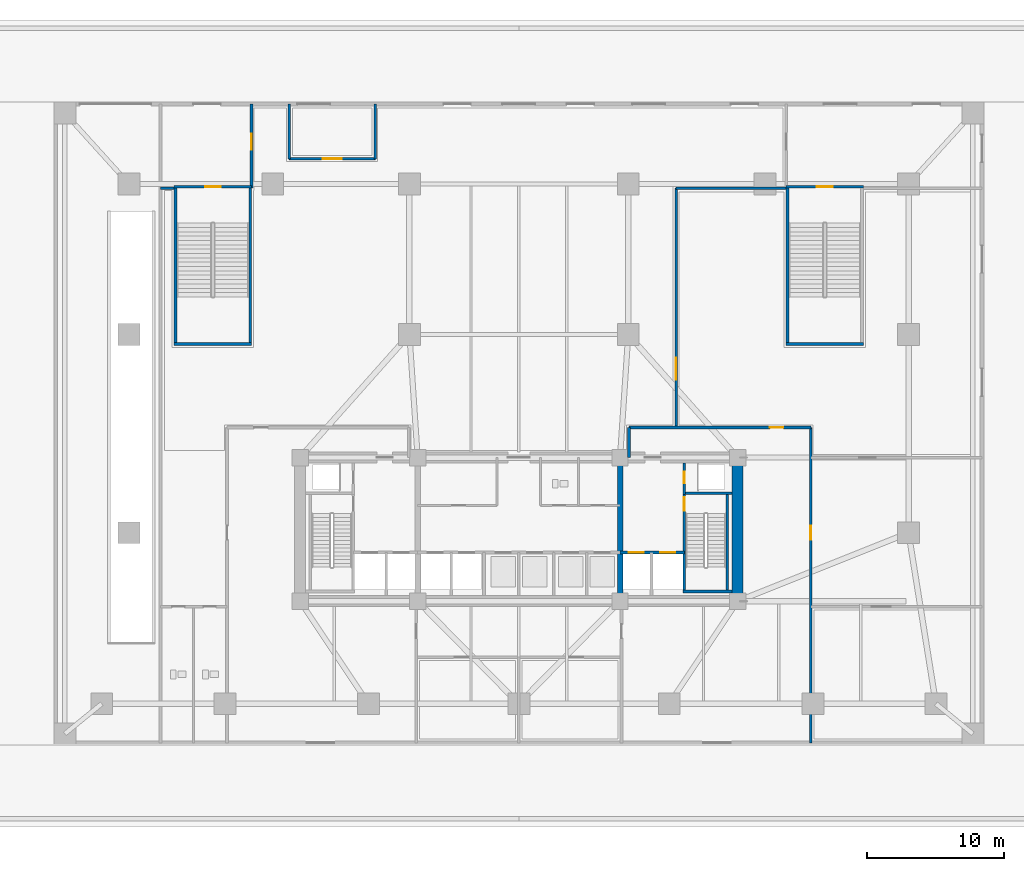
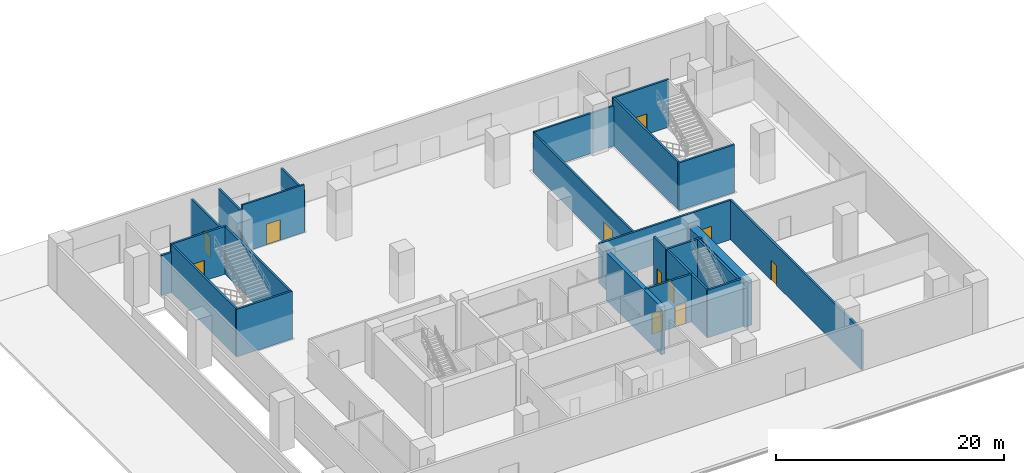
# One storey, part 6 of 15: 25 walls, 11 doors, 11 openings.
"""IFC4 building model written with IfcOpenShell, lengths in metres."""

from ifc_helpers import new_model, si_unit, direction, frame, frame_2d, origin, place, context, subcontext, project, spatial, rectangle, extrude, material, layer, layer_set, type_object, element, fill, save


model = new_model("IFC4")

# Units and contexts
model_context = context("Model", 3, precision=1e-05, world=origin(), true_north=direction((0.0, 1.0)))
body_context = subcontext(model_context, "Body", "Model", "MODEL_VIEW")
ifc_project = project(units=[si_unit("LENGTHUNIT", "METRE"), si_unit("AREAUNIT", "SQUARE_METRE"), si_unit("VOLUMEUNIT", "CUBIC_METRE"), si_unit("PLANEANGLEUNIT", "RADIAN"), si_unit("MASSUNIT", "GRAM", prefix="KILO")], contexts=[model_context])

# Site, building, storey
site_placement = place(None, origin())
site = spatial("IfcSite", under=ifc_project, at=site_placement, CompositionType="ELEMENT")
building_placement = place(site_placement, origin())
building = spatial("IfcBuilding", under=site, at=building_placement, Name="Solmavex Isthmus Hotel", CompositionType="ELEMENT")
storey_placement = place(building_placement, origin())
storey = spatial("IfcBuildingStorey", under=building, at=storey_placement, Name="L01", CompositionType="ELEMENT", Elevation=0.0)

# Wall, opening, door
ifc_material_1 = material(Name="Concrete C40/50", Category="concrete")
ifc_layer_1 = layer(ifc_material_1, 0.179931640625)
ifc_layer_set_1 = layer_set([ifc_layer_1], Name="Concrete C40/50")
wall_type_1 = type_object("IfcWallType", Name="IW-SHAFT-180", PredefinedType="PARTITIONING", material=ifc_layer_set_1)
wall_1_placement = place(storey_placement, frame((11.5, -0.300048828125, 0.0), z_axis=(0.0, 0.0, 1.0), x_axis=(0.0, 1.0, 0.0)))
wall_1 = element("IfcWall", 1, at=wall_1_placement, inside=storey, type_object=wall_type_1, Name="Interior Partition Wall W-L01-DIN", PredefinedType="PARTITIONING", context=body_context, shape_type="SweptSolid", body=[
    extrude(rectangle(XDim=17.5, YDim=0.179931640625, at=frame_2d((8.75, 0.0))), origin(), (0.0, 0.0, 1.0), 4.2294921875),
])
opening_1_placement = place(wall_1_placement, frame((3.5, 0.0, 0.0)))
opening_1 = element("IfcOpeningElement", 2, at=opening_1_placement, cuts=wall_1, Name="Opening ID-C160", PredefinedType="OPENING", context=body_context, shape_type="SweptSolid", body=[
    extrude(rectangle(XDim=1.60009765625, YDim=2.199951171875, at=frame_2d((0.800048828125, 1.10009765625))), frame((0.0, 0.099853515625, 0.0), z_axis=(0.0, -1.0, 0.0), x_axis=(1.0, 0.0, 0.0)), (0.0, 0.0, 1.0), 0.199951171875),
])
ifc_material_2 = material(Name="Hardwood timber", Category="wood")
door_type_1 = type_object("IfcDoorType", Name="IDR-FD60-1600", OperationType="NOTDEFINED", PredefinedType="DOOR", material=ifc_material_2)
door_1_placement = place(opening_1_placement, origin())
door_1 = element("IfcDoor", 3, at=door_1_placement, inside=storey, type_object=door_type_1, Name="Restaurant Entry Door", OperationType="DOUBLE_DOOR_SINGLE_SWING", OverallHeight=2.199951171875, OverallWidth=1.60009765625, PredefinedType="DOOR", context=body_context, shape_type="SweptSolid", body=[
    extrude(rectangle(XDim=1.60009765625, YDim=2.199951171875, at=frame_2d((0.800048828125, 1.10009765625))), frame((0.0, 0.02490234375, 0.0), z_axis=(0.0, -1.0, 0.0), x_axis=(1.0, 0.0, 0.0)), (0.0, 0.0, 1.0), 0.050048828125),
])
fill(opening_1, door_1)

# Walls
wall_2_placement = place(storey_placement, frame((11.5, 17.199951171875, 0.0), z_axis=(0.0, 0.0, 1.0), x_axis=(1.0, 0.0, 0.0)))
element("IfcWall", 4, at=wall_2_placement, inside=storey, type_object=wall_type_1, Name="Interior Partition Wall W-L01-DINN1", PredefinedType="PARTITIONING", context=body_context, shape_type="SweptSolid", body=[
    extrude(rectangle(XDim=8.050048828125, YDim=0.179931640625, at=frame_2d((4.02490234375, 0.0))), origin(), (0.0, 0.0, 1.0), 4.311767578125),
])
wall_3_placement = place(storey_placement, frame((-16.800048828125, 19.35009765625, 0.0), z_axis=(0.0, 0.0, 1.0), x_axis=(0.0, 1.0, 0.0)))
element("IfcWall", 5, at=wall_3_placement, inside=storey, type_object=wall_type_1, Name="Interior Partition Wall W-L01-BTQW", PredefinedType="PARTITIONING", context=body_context, shape_type="SweptSolid", body=[
    extrude(rectangle(XDim=4.010009765625, YDim=0.179931640625, at=frame_2d((2.0048828125, 0.0))), origin(), (0.0, 0.0, 1.0), 4.463134765625),
])

# Wall, opening, door
wall_4_placement = place(storey_placement, frame((-16.800048828125, 19.35009765625, 0.0), z_axis=(0.0, 0.0, 1.0), x_axis=(1.0, 0.0, 0.0)))
wall_4 = element("IfcWall", 6, at=wall_4_placement, inside=storey, type_object=wall_type_1, Name="Interior Partition Wall W-L01-BTQS", PredefinedType="PARTITIONING", context=body_context, shape_type="SweptSolid", body=[
    extrude(rectangle(XDim=6.300048828125, YDim=0.179931640625, at=frame_2d((3.14990234375, 0.0))), origin(), (0.0, 0.0, 1.0), 5.10009765625),
])
opening_2_placement = place(wall_4_placement, frame((2.449951171875, 0.0, 0.0)))
opening_2 = element("IfcOpeningElement", 7, at=opening_2_placement, cuts=wall_4, Name="Opening ID-C140", PredefinedType="OPENING", context=body_context, shape_type="SweptSolid", body=[
    extrude(rectangle(XDim=1.39990234375, YDim=2.199951171875, at=frame_2d((0.699951171875, 1.10009765625))), frame((0.0, 0.099853515625, 0.0), z_axis=(0.0, -1.0, 0.0), x_axis=(1.0, 0.0, 0.0)), (0.0, 0.0, 1.0), 0.199951171875),
])
ifc_material_3 = material(Name="Steel ASTM A500 Grade C", Category="steel")
door_type_2 = type_object("IfcDoorType", Name="IDR-FD60-1400", OperationType="NOTDEFINED", PredefinedType="DOOR", material=ifc_material_3)
door_2_placement = place(opening_2_placement, frame((1.39990234375, 0.0, 0.0), z_axis=(0.0, 0.0, 1.0), x_axis=(-1.0, 0.0, 0.0)))
door_2 = element("IfcDoor", 8, at=door_2_placement, inside=storey, type_object=door_type_2, Name="Retail Boutique Entry Door L01", OperationType="DOUBLE_DOOR_SINGLE_SWING", OverallHeight=2.199951171875, OverallWidth=1.39990234375, PredefinedType="DOOR", context=body_context, shape_type="SweptSolid", body=[
    extrude(rectangle(XDim=1.39990234375, YDim=2.199951171875, at=frame_2d((0.699951171875, 1.10009765625))), frame((0.0, 0.02490234375, 0.0), z_axis=(0.0, -1.0, 0.0), x_axis=(1.0, 0.0, 0.0)), (0.0, 0.0, 1.0), 0.050048828125),
])
fill(opening_2, door_2)

# Wall
wall_5_placement = place(storey_placement, frame((-10.5, 19.35009765625, 0.0), z_axis=(0.0, 0.0, 1.0), x_axis=(0.0, 1.0, 0.0)))
element("IfcWall", 9, at=wall_5_placement, inside=storey, type_object=wall_type_1, Name="Interior Partition Wall W-L01-BTQE", PredefinedType="PARTITIONING", context=body_context, shape_type="SweptSolid", body=[
    extrude(rectangle(XDim=4.010009765625, YDim=0.179931640625, at=frame_2d((2.0048828125, 0.0))), origin(), (0.0, 0.0, 1.0), 4.463134765625),
])

# Wall, opening, door
ifc_layer_2 = layer(ifc_material_1, 0.199951171875)
ifc_layer_set_2 = layer_set([ifc_layer_2], Name="Concrete C40/50")
wall_type_2 = type_object("IfcWallType", Name="IW-SHAFT-200", PredefinedType="PARTITIONING", material=ifc_layer_set_2)
wall_6_placement = place(storey_placement, frame((12.10009765625, -5.199951171875, 0.0), z_axis=(0.0, 0.0, 1.0), x_axis=(0.0, 1.0, 0.0)))
wall_6 = element("IfcWall", 10, at=wall_6_placement, inside=storey, type_object=wall_type_2, Name="Interior Partition Wall W-L01-RSE-W", PredefinedType="PARTITIONING", context=body_context, shape_type="SweptSolid", body=[
    extrude(rectangle(XDim=2.300048828125, YDim=0.199951171875, at=frame_2d((1.14990234375, 0.0))), origin(), (0.0, 0.0, 1.0), 5.10009765625),
])
opening_3_placement = place(wall_6_placement, frame((0.824951171875, 0.0, 0.0)))
opening_3 = element("IfcOpeningElement", 11, at=opening_3_placement, cuts=wall_6, Name="Opening ID-R085", PredefinedType="OPENING", context=body_context, shape_type="SweptSolid", body=[
    extrude(rectangle(XDim=0.85009765625, YDim=2.050048828125, at=frame_2d((0.425048828125, 1.02490234375))), frame((0.0, 0.10986328125, 0.0), z_axis=(0.0, -1.0, 0.0), x_axis=(1.0, 0.0, 0.0)), (0.0, 0.0, 1.0), 0.219970703125),
])
door_type_3 = type_object("IfcDoorType", Name="IDR-FD60-0850", OperationType="NOTDEFINED", PredefinedType="DOOR", material=ifc_material_3)
door_3_placement = place(opening_3_placement, frame((0.85009765625, 0.0, 0.0), z_axis=(0.0, 0.0, 1.0), x_axis=(-1.0, 0.0, 0.0)))
door_3 = element("IfcDoor", 12, at=door_3_placement, inside=storey, type_object=door_type_3, Name="Mechanical Riser Door L01", OperationType="SINGLE_SWING_LEFT", OverallHeight=2.050048828125, OverallWidth=0.85009765625, PredefinedType="DOOR", context=body_context, shape_type="SweptSolid", body=[
    extrude(rectangle(XDim=0.85009765625, YDim=2.050048828125, at=frame_2d((0.425048828125, 1.02490234375))), frame((0.0, 0.02490234375, 0.0), z_axis=(0.0, -1.0, 0.0), x_axis=(1.0, 0.0, 0.0)), (0.0, 0.0, 1.0), 0.050048828125),
])
fill(opening_3, door_3)

# Wall, openings, doors
wall_7_placement = place(storey_placement, frame((7.39990234375, -9.449951171875, 0.0), z_axis=(0.0, 0.0, 1.0), x_axis=(1.0, 0.0, 0.0)))
wall_7 = element("IfcWall", 13, at=wall_7_placement, inside=storey, type_object=wall_type_2, Name="Interior Partition Wall W-L01-FFLE-S", PredefinedType="PARTITIONING", context=body_context, shape_type="SweptSolid", body=[
    extrude(rectangle(XDim=4.7001953125, YDim=0.199951171875, at=frame_2d((2.35009765625, 0.0))), origin(), (0.0, 0.0, 1.0), 5.10009765625),
])
opening_4_placement = place(wall_7_placement, frame((2.949951171875, 0.0, 0.0)))
opening_4 = element("IfcOpeningElement", 14, at=opening_4_placement, cuts=wall_7, Name="Opening LD-FF", PredefinedType="OPENING", context=body_context, shape_type="SweptSolid", body=[
    extrude(rectangle(XDim=1.10009765625, YDim=2.199951171875, at=frame_2d((0.550048828125, 1.10009765625))), frame((0.0, 0.10986328125, 0.0), z_axis=(0.0, -1.0, 0.0), x_axis=(1.0, 0.0, 0.0)), (0.0, 0.0, 1.0), 0.219970703125),
])
opening_5_placement = place(wall_7_placement, frame((0.64990234375, 0.0, 0.0)))
opening_5 = element("IfcOpeningElement", 15, at=opening_5_placement, cuts=wall_7, Name="Opening LD-SV", PredefinedType="OPENING", context=body_context, shape_type="SweptSolid", body=[
    extrude(rectangle(XDim=1.10009765625, YDim=2.199951171875, at=frame_2d((0.550048828125, 1.10009765625))), frame((0.0, 0.10986328125, 0.0), z_axis=(0.0, -1.0, 0.0), x_axis=(1.0, 0.0, 0.0)), (0.0, 0.0, 1.0), 0.219970703125),
])
ifc_material_4 = material(Name="Stainless steel 316", Category="steel")
door_type_4 = type_object("IfcDoorType", Name="LDR-FF-1100", OperationType="NOTDEFINED", PredefinedType="DOOR", material=ifc_material_4)
door_4_placement = place(opening_4_placement, origin())
door_4 = element("IfcDoor", 16, at=door_4_placement, inside=storey, type_object=door_type_4, Name="Lift Landing Door FFL-2 L01", OperationType="SLIDING_TO_LEFT", OverallHeight=2.199951171875, OverallWidth=1.10009765625, PredefinedType="DOOR", context=body_context, shape_type="SweptSolid", body=[
    extrude(rectangle(XDim=1.10009765625, YDim=2.199951171875, at=frame_2d((0.550048828125, 1.10009765625))), frame((0.0, 0.02490234375, 0.0), z_axis=(0.0, -1.0, 0.0), x_axis=(1.0, 0.0, 0.0)), (0.0, 0.0, 1.0), 0.050048828125),
])
fill(opening_4, door_4)
door_type_5 = type_object("IfcDoorType", Name="LDR-SV-1100", OperationType="NOTDEFINED", PredefinedType="DOOR", material=ifc_material_4)
door_5_placement = place(opening_5_placement, origin())
door_5 = element("IfcDoor", 17, at=door_5_placement, inside=storey, type_object=door_type_5, Name="Lift Landing Door SVL-2 L01", OperationType="SLIDING_TO_RIGHT", OverallHeight=2.199951171875, OverallWidth=1.10009765625, PredefinedType="DOOR", context=body_context, shape_type="SweptSolid", body=[
    extrude(rectangle(XDim=1.10009765625, YDim=2.199951171875, at=frame_2d((0.550048828125, 1.10009765625))), frame((0.0, 0.02490234375, 0.0), z_axis=(0.0, -1.0, 0.0), x_axis=(1.0, 0.0, 0.0)), (0.0, 0.0, 1.0), 0.050048828125),
])
fill(opening_5, door_5)

# Wall, opening, door
wall_8_placement = place(storey_placement, frame((21.35009765625, -23.360107421875, 0.0), z_axis=(0.0, 0.0, 1.0), x_axis=(0.0, 1.0, 0.0)))
wall_8 = element("IfcWall", 18, at=wall_8_placement, inside=storey, type_object=wall_type_2, Name="Interior Partition Wall W-L01-EXPE-E", PredefinedType="PARTITIONING", context=body_context, shape_type="SweptSolid", body=[
    extrude(rectangle(XDim=23.06005859375, YDim=0.199951171875, at=frame_2d((11.530029296875, 0.0))), origin(), (0.0, 0.0, 1.0), 4.2294921875),
])
opening_6_placement = place(wall_8_placement, frame((14.860107421875, 0.0, 0.0)))
opening_6 = element("IfcOpeningElement", 19, at=opening_6_placement, cuts=wall_8, Name="Opening ID-F100", PredefinedType="OPENING", context=body_context, shape_type="SweptSolid", body=[
    extrude(rectangle(XDim=1.0, YDim=2.10009765625, at=frame_2d((0.5, 1.050048828125))), frame((0.0, 0.10986328125, 0.0), z_axis=(0.0, -1.0, 0.0), x_axis=(1.0, 0.0, 0.0)), (0.0, 0.0, 1.0), 0.219970703125),
])
door_type_6 = type_object("IfcDoorType", Name="IDR-FD90-1000", OperationType="NOTDEFINED", PredefinedType="DOOR", material=ifc_material_3)
door_6_placement = place(opening_6_placement, frame((1.0, 0.0, 0.0), z_axis=(0.0, 0.0, 1.0), x_axis=(-1.0, 0.0, 0.0)))
door_6 = element("IfcDoor", 20, at=door_6_placement, inside=storey, type_object=door_type_6, Name="Banquet Service Corridor Exit Door", OperationType="SINGLE_SWING_LEFT", OverallHeight=2.10009765625, OverallWidth=1.0, PredefinedType="DOOR", context=body_context, shape_type="SweptSolid", body=[
    extrude(rectangle(XDim=1.0, YDim=2.10009765625, at=frame_2d((0.5, 1.050048828125))), frame((0.0, 0.02490234375, 0.0), z_axis=(0.0, -1.0, 0.0), x_axis=(1.0, 0.0, 0.0)), (0.0, 0.0, 1.0), 0.050048828125),
])
fill(opening_6, door_6)

wall_9_placement = place(storey_placement, frame((8.050048828125, -0.300048828125, 0.0), z_axis=(0.0, 0.0, 1.0), x_axis=(1.0, 0.0, 0.0)))
wall_9 = element("IfcWall", 21, at=wall_9_placement, inside=storey, type_object=wall_type_2, Name="Interior Partition Wall W-L01-EXPE-N", PredefinedType="PARTITIONING", context=body_context, shape_type="SweptSolid", body=[
    extrude(rectangle(XDim=13.300048828125, YDim=0.199951171875, at=frame_2d((6.64990234375, 0.0))), origin(), (0.0, 0.0, 1.0), 4.2294921875),
])
opening_7_placement = place(wall_9_placement, frame((10.300048828125, 0.0, 0.0)))
opening_7 = element("IfcOpeningElement", 22, at=opening_7_placement, cuts=wall_9, Name="Opening ID-F100", PredefinedType="OPENING", context=body_context, shape_type="SweptSolid", body=[
    extrude(rectangle(XDim=1.0, YDim=2.10009765625, at=frame_2d((0.5, 1.050048828125))), frame((0.0, 0.10986328125, 0.0), z_axis=(0.0, -1.0, 0.0), x_axis=(1.0, 0.0, 0.0)), (0.0, 0.0, 1.0), 0.219970703125),
])
door_7_placement = place(opening_7_placement, frame((1.0, 0.0, 0.0), z_axis=(0.0, 0.0, 1.0), x_axis=(-1.0, 0.0, 0.0)))
door_7 = element("IfcDoor", 23, at=door_7_placement, inside=storey, type_object=door_type_6, Name="East Exit Passageway Atrium Door L01", OperationType="SINGLE_SWING_RIGHT", OverallHeight=2.10009765625, OverallWidth=1.0, PredefinedType="DOOR", context=body_context, shape_type="SweptSolid", body=[
    extrude(rectangle(XDim=1.0, YDim=2.10009765625, at=frame_2d((0.5, 1.050048828125))), frame((0.0, 0.02490234375, 0.0), z_axis=(0.0, -1.0, 0.0), x_axis=(1.0, 0.0, 0.0)), (0.0, 0.0, 1.0), 0.050048828125),
])
fill(opening_7, door_7)

# Wall
wall_10_placement = place(storey_placement, frame((8.050048828125, -2.5, 0.0), z_axis=(0.0, 0.0, 1.0), x_axis=(0.0, 1.0, 0.0)))
element("IfcWall", 24, at=wall_10_placement, inside=storey, type_object=wall_type_2, Name="Interior Partition Wall W-L01-EXPE-NW", PredefinedType="PARTITIONING", context=body_context, shape_type="SweptSolid", body=[
    extrude(rectangle(XDim=2.199951171875, YDim=0.199951171875, at=frame_2d((1.10009765625, 0.0))), origin(), (0.0, 0.0, 1.0), 4.311767578125),
])

# Wall, opening, door
wall_11_placement = place(storey_placement, frame((-19.550048828125, 17.199951171875, 0.0), z_axis=(0.0, 0.0, 1.0), x_axis=(0.0, 1.0, 0.0)))
wall_11 = element("IfcWall", 25, at=wall_11_placement, inside=storey, type_object=wall_type_2, Name="Interior Partition Wall W-L01-EXP4-E", PredefinedType="PARTITIONING", context=body_context, shape_type="SweptSolid", body=[
    extrude(rectangle(XDim=6.16015625, YDim=0.199951171875, at=frame_2d((3.080078125, 0.0))), origin(), (0.0, 0.0, 1.0), 4.311767578125),
])
opening_8_placement = place(wall_11_placement, frame((2.824951171875, 0.0, 0.0)))
opening_8 = element("IfcOpeningElement", 26, at=opening_8_placement, cuts=wall_11, Name="Opening ID-F115", PredefinedType="OPENING", context=body_context, shape_type="SweptSolid", body=[
    extrude(rectangle(XDim=1.14990234375, YDim=2.199951171875, at=frame_2d((0.574951171875, 1.10009765625))), frame((0.0, 0.10986328125, 0.0), z_axis=(0.0, -1.0, 0.0), x_axis=(1.0, 0.0, 0.0)), (0.0, 0.0, 1.0), 0.219970703125),
])
door_type_7 = type_object("IfcDoorType", Name="IDR-FD90-1150", OperationType="NOTDEFINED", PredefinedType="DOOR", material=ifc_material_3)
door_8_placement = place(opening_8_placement, frame((1.14990234375, 0.0, 0.0), z_axis=(0.0, 0.0, 1.0), x_axis=(-1.0, 0.0, 0.0)))
door_8 = element("IfcDoor", 27, at=door_8_placement, inside=storey, type_object=door_type_7, Name="Protected Exit Passageway ST-4 Atrium Door", OperationType="SINGLE_SWING_LEFT", OverallHeight=2.199951171875, OverallWidth=1.14990234375, PredefinedType="DOOR", context=body_context, shape_type="SweptSolid", body=[
    extrude(rectangle(XDim=1.14990234375, YDim=2.199951171875, at=frame_2d((0.574951171875, 1.10009765625))), frame((0.0, 0.02490234375, 0.0), z_axis=(0.0, -1.0, 0.0), x_axis=(1.0, 0.0, 0.0)), (0.0, 0.0, 1.0), 0.050048828125),
])
fill(opening_8, door_8)

# Walls
wall_12_placement = place(storey_placement, frame((-26.199951171875, 17.199951171875, 0.0), z_axis=(0.0, 0.0, 1.0), x_axis=(1.0, 0.0, 0.0)))
element("IfcWall", 28, at=wall_12_placement, inside=storey, type_object=wall_type_2, Name="Interior Partition Wall W-L01-EXP4-S", PredefinedType="PARTITIONING", context=body_context, shape_type="SweptSolid", body=[
    extrude(rectangle(XDim=1.0, YDim=0.199951171875, at=frame_2d((0.5, 0.0))), origin(), (0.0, 0.0, 1.0), 4.311767578125),
])
ifc_material_5 = material(Name="Concrete C70/85", Category="concrete")
ifc_layer_3 = layer(ifc_material_5, 0.39990234375)
ifc_layer_set_3 = layer_set([ifc_layer_3], Name="Concrete C70/85")
wall_type_3 = type_object("IfcWallType", Name="WALL-CW-400L", PredefinedType="SHEAR", material=ifc_layer_set_3)
wall_13_placement = place(storey_placement, frame((7.39990234375, -12.60009765625, 0.0), z_axis=(0.0, 0.0, 1.0), x_axis=(0.0, 1.0, 0.0)))
element("IfcWall", 29, at=wall_13_placement, inside=storey, type_object=wall_type_3, Name="Core Cross Shear Wall C2 L01", PredefinedType="SHEAR", context=body_context, shape_type="SweptSolid", body=[
    extrude(rectangle(XDim=9.7001953125, YDim=0.39990234375, at=frame_2d((4.85009765625, 0.0))), origin(), (0.0, 0.0, 1.0), 5.10009765625),
])
ifc_layer_4 = layer(ifc_material_5, 0.800048828125)
ifc_layer_set_4 = layer_set([ifc_layer_4], Name="Concrete C70/85")
wall_type_4 = type_object("IfcWallType", Name="WALL-CW-800", PredefinedType="SHEAR", material=ifc_layer_set_4)
wall_14_placement = place(storey_placement, frame((16.0, -12.60009765625, 0.0), z_axis=(0.0, 0.0, 1.0), x_axis=(0.0, 1.0, 0.0)))
element("IfcWall", 30, at=wall_14_placement, inside=storey, type_object=wall_type_4, Name="Core Shear Wall East L01", PredefinedType="SHEAR", context=body_context, shape_type="SweptSolid", body=[
    extrude(rectangle(XDim=9.7001953125, YDim=0.800048828125, at=frame_2d((4.85009765625, 0.0))), origin(), (0.0, 0.0, 1.0), 4.820068359375),
])
ifc_layer_5 = layer(ifc_material_1, 0.199951171875)
ifc_layer_set_5 = layer_set([ifc_layer_5], Name="Concrete C40/50")
wall_type_5 = type_object("IfcWallType", Name="WALL-SW-200", PredefinedType="SOLIDWALL", material=ifc_layer_set_5)
for number, where, z_axis, x_axis, name in (
    (31, (12.0, -12.300048828125, 0.0), (0.0, 0.0, 1.0), (1.0, 0.0, 0.0), "Stairwell Structural Wall SW-L01-ST2-S"),
    (32, (12.0, -5.10009765625, 0.0), (0.0, 0.0, 1.0), (1.0, 0.0, 0.0), "Stairwell Structural Wall SW-L01-ST2-N"),
):
    element("IfcWall", number, at=place(storey_placement, frame(where, z_axis=z_axis, x_axis=x_axis)), inside=storey, type_object=wall_type_5, Name=name, PredefinedType="SOLIDWALL", context=body_context, shape_type="SweptSolid", body=[
        extrude(rectangle(XDim=3.60009765625, YDim=0.199951171875, at=frame_2d((1.800048828125, 0.0))), origin(), (0.0, 0.0, 1.0), 5.10009765625),
    ])

# Wall, opening, door
wall_15_placement = place(storey_placement, frame((12.10009765625, -12.199951171875, 0.0), z_axis=(0.0, 0.0, 1.0), x_axis=(0.0, 1.0, 0.0)))
wall_15 = element("IfcWall", 33, at=wall_15_placement, inside=storey, type_object=wall_type_5, Name="Stairwell Structural Wall SW-L01-ST2-W", PredefinedType="SOLIDWALL", context=body_context, shape_type="SweptSolid", body=[
    extrude(rectangle(XDim=7.0, YDim=0.199951171875, at=frame_2d((3.5, 0.0))), origin(), (0.0, 0.0, 1.0), 5.10009765625),
])
opening_9_placement = place(wall_15_placement, frame((5.800048828125, 0.0, 0.0)))
opening_9 = element("IfcOpeningElement", 34, at=opening_9_placement, cuts=wall_15, Name="Opening ID-F100", PredefinedType="OPENING", context=body_context, shape_type="SweptSolid", body=[
    extrude(rectangle(XDim=1.0, YDim=2.10009765625, at=frame_2d((0.5, 1.050048828125))), frame((0.0, 0.10986328125, 0.0), z_axis=(0.0, -1.0, 0.0), x_axis=(1.0, 0.0, 0.0)), (0.0, 0.0, 1.0), 0.219970703125),
])
door_9_placement = place(opening_9_placement, origin())
door_9 = element("IfcDoor", 35, at=door_9_placement, inside=storey, type_object=door_type_6, Name="Stair ST-2 Fire Door L01", OperationType="SINGLE_SWING_RIGHT", OverallHeight=2.10009765625, OverallWidth=1.0, PredefinedType="DOOR", context=body_context, shape_type="SweptSolid", body=[
    extrude(rectangle(XDim=1.0, YDim=2.10009765625, at=frame_2d((0.5, 1.050048828125))), frame((0.0, 0.02490234375, 0.0), z_axis=(0.0, -1.0, 0.0), x_axis=(1.0, 0.0, 0.0)), (0.0, 0.0, 1.0), 0.050048828125),
])
fill(opening_9, door_9)

# Walls
wall_16_placement = place(storey_placement, frame((15.25, -12.199951171875, 0.0), z_axis=(0.0, 0.0, 1.0), x_axis=(0.0, 1.0, 0.0)))
element("IfcWall", 36, at=wall_16_placement, inside=storey, type_object=wall_type_5, Name="Stairwell Structural Wall SW-L01-ST2-E", PredefinedType="SOLIDWALL", context=body_context, shape_type="SweptSolid", body=[
    extrude(rectangle(XDim=7.0, YDim=0.199951171875, at=frame_2d((3.5, 0.0))), origin(), (0.0, 0.0, 1.0), 5.10009765625),
])
wall_17_placement = place(storey_placement, frame((19.550048828125, 5.800048828125, 0.0), z_axis=(0.0, 0.0, 1.0), x_axis=(1.0, 0.0, 0.0)))
element("IfcWall", 37, at=wall_17_placement, inside=storey, type_object=wall_type_5, Name="Stairwell Structural Wall SW-L01-ST3-S", PredefinedType="SOLIDWALL", context=body_context, shape_type="SweptSolid", body=[
    extrude(rectangle(XDim=5.64990234375, YDim=0.199951171875, at=frame_2d((2.824951171875, 0.0))), origin(), (0.0, 0.0, 1.0), 5.10009765625),
])

# Wall, opening, door
wall_18_placement = place(storey_placement, frame((19.550048828125, 17.300048828125, 0.0), z_axis=(0.0, 0.0, 1.0), x_axis=(1.0, 0.0, 0.0)))
wall_18 = element("IfcWall", 38, at=wall_18_placement, inside=storey, type_object=wall_type_5, Name="Stairwell Structural Wall SW-L01-ST3-N", PredefinedType="SOLIDWALL", context=body_context, shape_type="SweptSolid", body=[
    extrude(rectangle(XDim=5.64990234375, YDim=0.199951171875, at=frame_2d((2.824951171875, 0.0))), origin(), (0.0, 0.0, 1.0), 5.10009765625),
])
opening_10_placement = place(wall_18_placement, frame((2.25, 0.0, 0.0)))
opening_10 = element("IfcOpeningElement", 39, at=opening_10_placement, cuts=wall_18, Name="Opening ID-F115", PredefinedType="OPENING", context=body_context, shape_type="SweptSolid", body=[
    extrude(rectangle(XDim=1.14990234375, YDim=2.199951171875, at=frame_2d((0.574951171875, 1.10009765625))), frame((0.0, 0.10986328125, 0.0), z_axis=(0.0, -1.0, 0.0), x_axis=(1.0, 0.0, 0.0)), (0.0, 0.0, 1.0), 0.219970703125),
])
door_10_placement = place(opening_10_placement, origin())
door_10 = element("IfcDoor", 40, at=door_10_placement, inside=storey, type_object=door_type_7, Name="Podium Stair ST3 Fire Door L01", OperationType="SINGLE_SWING_LEFT", OverallHeight=2.199951171875, OverallWidth=1.14990234375, PredefinedType="DOOR", context=body_context, shape_type="SweptSolid", body=[
    extrude(rectangle(XDim=1.14990234375, YDim=2.199951171875, at=frame_2d((0.574951171875, 1.10009765625))), frame((0.0, 0.02490234375, 0.0), z_axis=(0.0, -1.0, 0.0), x_axis=(1.0, 0.0, 0.0)), (0.0, 0.0, 1.0), 0.050048828125),
])
fill(opening_10, door_10)

# Walls
wall_19_placement = place(storey_placement, frame((19.64990234375, 5.89990234375, 0.0), z_axis=(0.0, 0.0, 1.0), x_axis=(0.0, 1.0, 0.0)))
element("IfcWall", 41, at=wall_19_placement, inside=storey, type_object=wall_type_5, Name="Stairwell Structural Wall SW-L01-ST3-W", PredefinedType="SOLIDWALL", context=body_context, shape_type="SweptSolid", body=[
    extrude(rectangle(XDim=11.300048828125, YDim=0.199951171875, at=frame_2d((5.64990234375, 0.0))), origin(), (0.0, 0.0, 1.0), 5.10009765625),
])
wall_20_placement = place(storey_placement, frame((-25.199951171875, 5.800048828125, 0.0), z_axis=(0.0, 0.0, 1.0), x_axis=(1.0, 0.0, 0.0)))
element("IfcWall", 42, at=wall_20_placement, inside=storey, type_object=wall_type_5, Name="Stairwell Structural Wall SW-L01-ST4-S", PredefinedType="SOLIDWALL", context=body_context, shape_type="SweptSolid", body=[
    extrude(rectangle(XDim=5.64990234375, YDim=0.199951171875, at=frame_2d((2.824951171875, 0.0))), origin(), (0.0, 0.0, 1.0), 5.10009765625),
])

# Wall, opening, door
wall_21_placement = place(storey_placement, frame((-25.199951171875, 17.300048828125, 0.0), z_axis=(0.0, 0.0, 1.0), x_axis=(1.0, 0.0, 0.0)))
wall_21 = element("IfcWall", 43, at=wall_21_placement, inside=storey, type_object=wall_type_5, Name="Stairwell Structural Wall SW-L01-ST4-N", PredefinedType="SOLIDWALL", context=body_context, shape_type="SweptSolid", body=[
    extrude(rectangle(XDim=5.64990234375, YDim=0.199951171875, at=frame_2d((2.824951171875, 0.0))), origin(), (0.0, 0.0, 1.0), 5.10009765625),
])
opening_11_placement = place(wall_21_placement, frame((2.25, 0.0, 0.0)))
opening_11 = element("IfcOpeningElement", 44, at=opening_11_placement, cuts=wall_21, Name="Opening ID-F115", PredefinedType="OPENING", context=body_context, shape_type="SweptSolid", body=[
    extrude(rectangle(XDim=1.14990234375, YDim=2.199951171875, at=frame_2d((0.574951171875, 1.10009765625))), frame((0.0, 0.10986328125, 0.0), z_axis=(0.0, -1.0, 0.0), x_axis=(1.0, 0.0, 0.0)), (0.0, 0.0, 1.0), 0.219970703125),
])
door_11_placement = place(opening_11_placement, origin())
door_11 = element("IfcDoor", 45, at=door_11_placement, inside=storey, type_object=door_type_7, Name="Podium Stair ST4 Fire Door L01", OperationType="SINGLE_SWING_RIGHT", OverallHeight=2.199951171875, OverallWidth=1.14990234375, PredefinedType="DOOR", context=body_context, shape_type="SweptSolid", body=[
    extrude(rectangle(XDim=1.14990234375, YDim=2.199951171875, at=frame_2d((0.574951171875, 1.10009765625))), frame((0.0, 0.02490234375, 0.0), z_axis=(0.0, -1.0, 0.0), x_axis=(1.0, 0.0, 0.0)), (0.0, 0.0, 1.0), 0.050048828125),
])
fill(opening_11, door_11)

# Walls
for number, where, z_axis, x_axis, name in (
    (46, (-25.10009765625, 5.89990234375, 0.0), (0.0, 0.0, 1.0), (0.0, 1.0, 0.0), "Stairwell Structural Wall SW-L01-ST4-W"),
    (47, (-19.64990234375, 5.89990234375, 0.0), (0.0, 0.0, 1.0), (0.0, 1.0, 0.0), "Stairwell Structural Wall SW-L01-ST4-E"),
):
    element("IfcWall", number, at=place(storey_placement, frame(where, z_axis=z_axis, x_axis=x_axis)), inside=storey, type_object=wall_type_5, Name=name, PredefinedType="SOLIDWALL", context=body_context, shape_type="SweptSolid", body=[
        extrude(rectangle(XDim=11.300048828125, YDim=0.199951171875, at=frame_2d((5.64990234375, 0.0))), origin(), (0.0, 0.0, 1.0), 5.10009765625),
    ])

save(model, "model.ifc")
